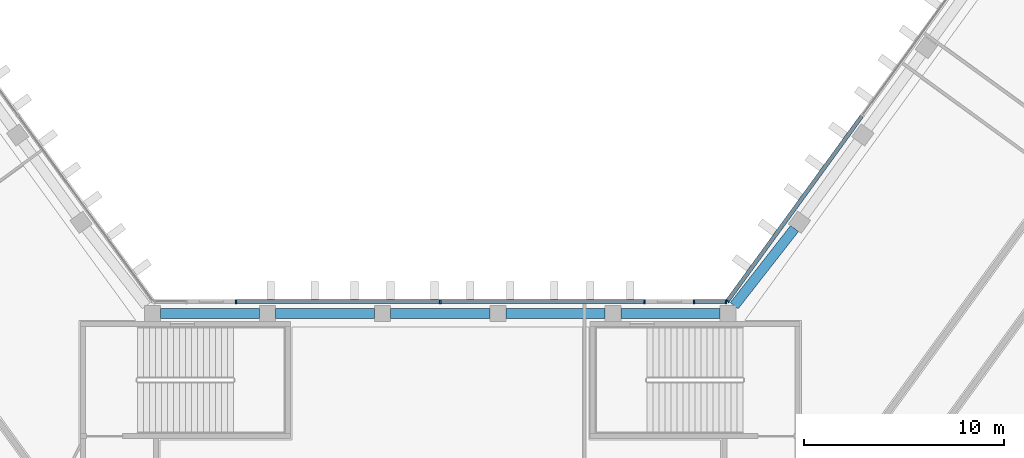
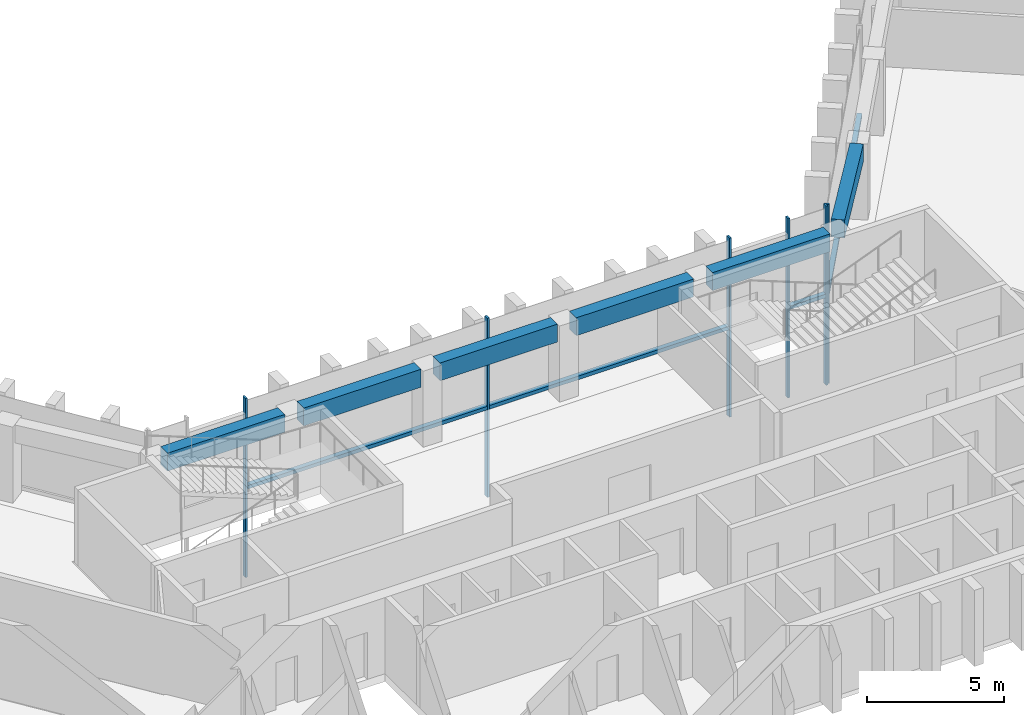
# One storey, part 3 of 13: 10 members, 6 beams, 3 elements without a shape of their own.
"""IFC4 building model written with IfcOpenShell, lengths in metres."""

import ifcopenshell
import ifcopenshell.guid

model = None  # the IFC model being written
_history = None  # IfcOwnerHistory: only IFC2X3 demands one
_inside = {}  # id of a spatial element -> (the spatial element, [elements in it])
_under = {}  # id of a project, library or spatial element -> (it, [spatial elements below it])
_declared = {}  # id of a project -> (the project, [libraries it declares])
_typed = {}  # id of a type object -> (the type object, [elements of that type])
_made_of = {}  # id of a material, layer set ... -> (it, [elements and type objects made of it])


def new_model(schema):
    """Start an empty IFC model of exactly this schema.

    Asked for "IFC4X3", IfcOpenShell would pick the latest addendum, in which some entities
    have other attributes; the version numbers below select the first issue.
    IFC2X3 requires an IfcOwnerHistory on every rooted entity: one is made here for all.
    """
    global model, _history
    if schema == "IFC4X3":
        model = ifcopenshell.file(schema_version=(4, 3, 0, 0))
    else:
        model = ifcopenshell.file(schema=schema)
    _inside.clear()
    _under.clear()
    _declared.clear()
    _typed.clear()
    _made_of.clear()
    _history = None
    if model.schema == "IFC2X3":
        org = make("IfcOrganization", Name="unknown")
        user = make(
            "IfcPersonAndOrganization",
            ThePerson=make("IfcPerson", FamilyName="unknown"),
            TheOrganization=org,
        )
        app = make(
            "IfcApplication",
            ApplicationDeveloper=org,
            Version="unknown",
            ApplicationFullName="unknown",
            ApplicationIdentifier="unknown",
        )
        _history = make(
            "IfcOwnerHistory",
            OwningUser=user,
            OwningApplication=app,
            ChangeAction="ADDED",
            CreationDate=0,
        )
    return model


def make(cls, **values):
    """One entity of the class cls with the attributes given. An attribute that is None is left unset."""
    return model.create_entity(
        cls, **{name: value for name, value in values.items() if value is not None}
    )


def rooted(cls, **values):
    """An entity with a GlobalId (a new one), such as an element, a storey or a relation."""
    return make(cls, GlobalId=ifcopenshell.guid.new(), OwnerHistory=_history, **values)


def si_unit(unit_type, name, prefix=None):
    """IfcSIUnit, for example si_unit("LENGTHUNIT", "METRE", prefix="MILLI")."""
    return make("IfcSIUnit", UnitType=unit_type, Prefix=prefix, Name=name)


def assignment(units):
    """IfcUnitAssignment: the units of a project."""
    return None if units is None else make("IfcUnitAssignment", Units=units)


def point(xyz):
    """IfcCartesianPoint."""
    return None if xyz is None else make("IfcCartesianPoint", Coordinates=xyz)


def direction(xyz):
    """IfcDirection."""
    return None if xyz is None else make("IfcDirection", DirectionRatios=xyz)


def frame(location, z_axis=None, x_axis=None):
    """IfcAxis2Placement3D, a coordinate frame: its origin and axes. An axis left out is left unset."""
    return make(
        "IfcAxis2Placement3D",
        Location=point(location),
        Axis=direction(z_axis),
        RefDirection=direction(x_axis),
    )


def frame_2d(location, x_axis=None):
    """IfcAxis2Placement2D, a coordinate frame in the plane: its origin and x axis."""
    return make(
        "IfcAxis2Placement2D", Location=point(location), RefDirection=direction(x_axis)
    )


def origin():
    """The frame at (0, 0, 0) with its axes left unset."""
    return frame((0.0, 0.0, 0.0))


def origin_2d():
    """The frame at (0, 0) in the plane with its x axis left unset."""
    return frame_2d((0.0, 0.0))


def place(relative_to, where):
    """IfcLocalPlacement: puts the frame where relative to a parent placement (None: the world)."""
    return make(
        "IfcLocalPlacement", PlacementRelTo=relative_to, RelativePlacement=where
    )


def context(
    kind, dimensions, precision=None, world=None, true_north=None, identifier=None
):
    """IfcGeometricRepresentationContext, for example the 3D "Model" context."""
    return make(
        "IfcGeometricRepresentationContext",
        ContextIdentifier=identifier,
        ContextType=kind,
        CoordinateSpaceDimension=dimensions,
        Precision=precision,
        WorldCoordinateSystem=world,
        TrueNorth=true_north,
    )


def subcontext(parent, identifier, kind, view, scale=None):
    """IfcGeometricRepresentationSubContext, for example "Body" below "Model"."""
    return make(
        "IfcGeometricRepresentationSubContext",
        ContextIdentifier=identifier,
        ContextType=kind,
        ParentContext=parent,
        TargetScale=scale,
        TargetView=view,
    )


def project(units=None, contexts=None):
    """IfcProject with its units and contexts."""
    return rooted(
        "IfcProject",
        Name="project",
        RepresentationContexts=contexts,
        UnitsInContext=assignment(units),
    )


def spatial(cls, under=None, at=None, **own):
    """A site, building, storey or space (cls), placed at a placement, below another one or the project."""
    s = rooted(cls, ObjectPlacement=at, **own)
    if under is not None:
        _under.setdefault(under.id(), (under, []))[1].append(s)
    return s


def profile(cls, at=None, kind="AREA", **sizes):
    """A parametric profile (cls). Its sizes go by their IFC names, for example OverallWidth=200.0."""
    return make(cls, ProfileType=kind, Position=at, **sizes)


def rectangle(**sizes):
    """IfcRectangleProfileDef."""
    return profile("IfcRectangleProfileDef", **sizes)


def extrude(swept, where, along, depth):
    """IfcExtrudedAreaSolid: the profile swept, set in the frame where, extruded along a direction by depth."""
    return make(
        "IfcExtrudedAreaSolid",
        SweptArea=swept,
        Position=where,
        ExtrudedDirection=direction(along),
        Depth=depth,
    )


def shape(context_of_items, identifier, shape_type, items):
    """IfcShapeRepresentation: the items that make up one representation, for example the "Body"."""
    return make(
        "IfcShapeRepresentation",
        ContextOfItems=context_of_items,
        RepresentationIdentifier=identifier,
        RepresentationType=shape_type,
        Items=items,
    )


def material(Name=None, Category=None):
    """IfcMaterial."""
    return make("IfcMaterial", Name=Name, Category=Category)


def material_profile(
    of_material, cross_section, Name=None, Category=None, Priority=None
):
    """IfcMaterialProfile: a cross section and its material."""
    return make(
        "IfcMaterialProfile",
        Name=Name,
        Material=of_material,
        Profile=cross_section,
        Priority=Priority,
        Category=Category,
    )


def profile_set(profiles, Name=None, composite=None):
    """IfcMaterialProfileSet."""
    return make(
        "IfcMaterialProfileSet",
        Name=Name,
        MaterialProfiles=profiles,
        CompositeProfile=composite,
    )


def made_of(thing, what):
    """Note that an element or type object is made of a material, layer set ...; save() writes the relation."""
    if what is not None:
        _made_of.setdefault(what.id(), (what, []))[1].append(thing)
    return thing


def type_object(cls, material=None, **own):
    """A type object (cls), such as IfcWallType, which elements share."""
    return made_of(rooted(cls, **own), material)


def element(
    cls,
    number,
    at=None,
    inside=None,
    cuts=None,
    type_object=None,
    material=None,
    context=None,
    identifier="Body",
    shape_type=None,
    held_by="IfcProductDefinitionShape",
    body=None,
    shapes=None,
    **own,
):
    """One element of the class cls, such as IfcWall. Its Tag is "e" and its number.

    at: its placement. inside: the storey or other place that contains it. cuts: it is an
    opening in that element (IfcRelVoidsElement). A single representation is given by context,
    identifier, shape_type and body (its items); several are given by shapes. held_by: the class
    of the entity that holds the representations. save() writes the other relations.
    """
    e = rooted(cls, Tag="e%d" % number, ObjectPlacement=at, **own)
    if body is not None:
        shapes = [shape(context, identifier, shape_type, body)]
    if shapes is not None:
        e.Representation = make(held_by, Representations=shapes)
    if inside is not None:
        _inside.setdefault(inside.id(), (inside, []))[1].append(e)
    if cuts is not None:
        rooted(
            "IfcRelVoidsElement", RelatingBuildingElement=cuts, RelatedOpeningElement=e
        )
    if type_object is not None:
        _typed.setdefault(type_object.id(), (type_object, []))[1].append(e)
    return made_of(e, material)


def aggregate(whole, parts):
    """IfcRelAggregates: a whole, such as a stair, and the parts it consists of."""
    return rooted("IfcRelAggregates", RelatingObject=whole, RelatedObjects=parts)


def save(model, path):
    """Write the relations noted so far, then the file.

    IfcRelAggregates (storeys below a building ...), IfcRelContainedInSpatialStructure (elements
    in a storey), IfcRelDefinesByType, IfcRelAssociatesMaterial and IfcRelDeclares: one each for
    every whole, place, type object, material and project.
    """
    for whole, parts in _under.values():
        aggregate(whole, parts)
    for where, things in _inside.values():
        rooted(
            "IfcRelContainedInSpatialStructure",
            RelatedElements=things,
            RelatingStructure=where,
        )
    for kind, things in _typed.values():
        rooted("IfcRelDefinesByType", RelatedObjects=things, RelatingType=kind)
    for what, things in _made_of.values():
        rooted("IfcRelAssociatesMaterial", RelatedObjects=things, RelatingMaterial=what)
    for by, libraries in _declared.values():
        rooted("IfcRelDeclares", RelatingContext=by, RelatedDefinitions=libraries)
    model.write(path)


model = new_model("IFC4")

# Units and contexts
model_context = context("Model", 3, precision=1e-05, world=origin(), true_north=direction((0.0, 1.0)))
body_context = subcontext(model_context, "Body", "Model", "MODEL_VIEW")
ifc_project = project(units=[si_unit("LENGTHUNIT", "METRE"), si_unit("AREAUNIT", "SQUARE_METRE"), si_unit("VOLUMEUNIT", "CUBIC_METRE"), si_unit("PLANEANGLEUNIT", "RADIAN"), si_unit("MASSUNIT", "GRAM", prefix="KILO")], contexts=[model_context])

# Site, building, storey
site_placement = place(None, origin())
site = spatial("IfcSite", under=ifc_project, at=site_placement, CompositionType="ELEMENT")
building_placement = place(site_placement, origin())
building = spatial("IfcBuilding", under=site, at=building_placement, Name="Quipu Civic Tower", CompositionType="ELEMENT")
storey_placement = place(building_placement, frame((0.0, 0.0, 184.0)))
storey = spatial("IfcBuildingStorey", under=building, at=storey_placement, Name="L43", CompositionType="ELEMENT", Elevation=184.0)

# Curtain wall, member
ifc_material_1 = material(Name="Insulated glass unit", Category="glass")
curtain_wall_type = type_object("IfcCurtainWallType", Name="Office curtain wall CW1", PredefinedType="NOTDEFINED", material=ifc_material_1)
curtain_wall_1_placement = place(storey_placement, origin())
curtain_wall_1 = element("IfcCurtainWall", 1, at=curtain_wall_1_placement, inside=storey, type_object=curtain_wall_type, Name="Office curtain wall CW1 L42 run 30", PredefinedType="NOTDEFINED")
ifc_material_2 = material(Name="Anodised aluminium", Category="aluminium")
ifc_material_profile_1 = material_profile(ifc_material_2, rectangle(XDim=0.199951171875, YDim=0.080078125, at=origin_2d()), Name="RECT 200x80")
ifc_profile_set_1 = profile_set([ifc_material_profile_1], Name="Anodised aluminium")
member_type_1 = type_object("IfcMemberType", Name="Mullion CW1", PredefinedType="MULLION", material=ifc_profile_set_1)
member_1_placement = place(storey_placement, frame((14.36767578125, 11.13232421875, -3.919921875), z_axis=(0.0, 0.0, 1.0), x_axis=(0.809014469803, -0.587788727052, 0.0)))
member_1 = element("IfcMember", 2, at=member_1_placement, type_object=member_type_1, Name="CW1 mullion 3", PredefinedType="MULLION", context=body_context, shape_type="SweptSolid", body=[
    extrude(rectangle(XDim=0.199951171875, YDim=0.080078125, at=origin_2d()), origin(), (0.0, 0.0, 1.0), 8.0),
])

# Curtain wall, members
curtain_wall_2_placement = place(storey_placement, origin())
curtain_wall_2 = element("IfcCurtainWall", 3, at=curtain_wall_2_placement, inside=storey, type_object=curtain_wall_type, Name="Office curtain wall CW1 L42 run 31", PredefinedType="NOTDEFINED")
member_2_placement = place(storey_placement, frame((14.30419921875, 11.10009765625, -3.919921875), z_axis=(0.0, 0.0, 1.0), x_axis=(0.0, -1.0, 0.0)))
member_2 = element("IfcMember", 4, at=member_2_placement, type_object=member_type_1, Name="CW1 mullion 1", PredefinedType="MULLION", context=body_context, shape_type="SweptSolid", body=[
    extrude(rectangle(XDim=0.199951171875, YDim=0.080078125, at=origin_2d()), origin(), (0.0, 0.0, 1.0), 8.0),
])
member_3_placement = place(storey_placement, frame((12.695068359375, 11.10009765625, -3.919921875), z_axis=(0.0, 0.0, 1.0), x_axis=(0.0, -1.0, 0.0)))
member_3 = element("IfcMember", 5, at=member_3_placement, type_object=member_type_1, Name="CW1 mullion 2", PredefinedType="MULLION", context=body_context, shape_type="SweptSolid", body=[
    extrude(rectangle(XDim=0.199951171875, YDim=0.080078125, at=origin_2d()), origin(), (0.0, 0.0, 1.0), 8.0),
])

curtain_wall_3_placement = place(storey_placement, origin())
curtain_wall_3 = element("IfcCurtainWall", 6, at=curtain_wall_3_placement, inside=storey, type_object=curtain_wall_type, Name="Office curtain wall CW1 L42 run 33", PredefinedType="NOTDEFINED")
member_4_placement = place(storey_placement, frame((10.223388671875, 11.10009765625, -3.919921875), z_axis=(0.0, 0.0, 1.0), x_axis=(0.0, -1.0, 0.0)))
member_4 = element("IfcMember", 7, at=member_4_placement, type_object=member_type_1, Name="CW1 mullion 1", PredefinedType="MULLION", context=body_context, shape_type="SweptSolid", body=[
    extrude(rectangle(XDim=0.199951171875, YDim=0.080078125, at=origin_2d()), origin(), (0.0, 0.0, 1.0), 8.0),
])
member_5_placement = place(storey_placement, frame((0.0, 11.10009765625, -3.919921875), z_axis=(0.0, 0.0, 1.0), x_axis=(0.0, -1.0, 0.0)))
member_5 = element("IfcMember", 8, at=member_5_placement, type_object=member_type_1, Name="CW1 mullion 2", PredefinedType="MULLION", context=body_context, shape_type="SweptSolid", body=[
    extrude(rectangle(XDim=0.199951171875, YDim=0.080078125, at=origin_2d()), origin(), (0.0, 0.0, 1.0), 8.0),
])
member_6_placement = place(storey_placement, frame((-10.223388671875, 11.10009765625, -3.919921875), z_axis=(0.0, 0.0, 1.0), x_axis=(0.0, -1.0, 0.0)))
member_6 = element("IfcMember", 9, at=member_6_placement, type_object=member_type_1, Name="CW1 mullion 3", PredefinedType="MULLION", context=body_context, shape_type="SweptSolid", body=[
    extrude(rectangle(XDim=0.199951171875, YDim=0.080078125, at=origin_2d()), origin(), (0.0, 0.0, 1.0), 8.0),
])

# Beams
ifc_material_3 = material(Name="Concrete C50/60", Category="concrete")
ifc_material_profile_2 = material_profile(ifc_material_3, rectangle(XDim=0.5, YDim=0.800048828125, at=origin_2d()), Name="RC500x800")
ifc_profile_set_2 = profile_set([ifc_material_profile_2], Name="Concrete C50/60")
beam_type = type_object("IfcBeamType", Name="Spandrel beam RC 500x800 C50/60", PredefinedType="SPANDREL", material=ifc_profile_set_2)
beam_placement = place(storey_placement, frame((17.72705078125, 14.759765625, 3.0), z_axis=(-0.616090612932, -0.787675286306, 0.0), x_axis=(0.787675286306, -0.616090612932, 0.0)))
element("IfcBeam", 10, at=beam_placement, inside=storey, type_object=beam_type, Name="Spandrel beam L43 E-IN-01 to J-Ei.0", PredefinedType="SPANDREL", context=body_context, shape_type="SweptSolid", body=[
    extrude(rectangle(XDim=0.5, YDim=0.800048828125, at=origin_2d()), origin(), (0.0, 0.0, 1.0), 4.900390625),
])
for number, where, z_axis, x_axis, name in (
    (11, (13.9951171875, 10.5, 3.0), (-1.0, 0.0, 0.0), (0.0, -1.0, 0.0), "Spandrel beam L43 J-Ei.0 to FRONT-01"),
    (12, (8.237060546875, 10.5, 3.0), (-1.0, 0.0, 0.0), (0.0, -1.0, 0.0), "Spandrel beam L43 FRONT-01 to FRONT-02"),
    (13, (2.47900390625, 10.5, 3.0), (-1.0, 0.0, 0.0), (0.0, -1.0, 0.0), "Spandrel beam L43 FRONT-02 to FRONT-03"),
    (14, (-3.279052734375, 10.5, 3.0), (-1.0, 0.0, 0.0), (0.0, -1.0, 0.0), "Spandrel beam L43 FRONT-03 to FRONT-04"),
    (15, (-9.037109375, 10.5, 3.0), (-1.0, 0.0, 0.0), (0.0, -1.0, 0.0), "Spandrel beam L43 FRONT-04 to J-Wi.0"),
):
    element("IfcBeam", number, at=place(storey_placement, frame(where, z_axis=z_axis, x_axis=x_axis)), inside=storey, type_object=beam_type, Name=name, PredefinedType="SPANDREL", context=body_context, shape_type="SweptSolid", body=[
        extrude(rectangle(XDim=0.5, YDim=0.800048828125, at=origin_2d()), origin(), (0.0, 0.0, 1.0), 4.9580078125),
    ])

# Member
ifc_material_4 = material(Name="Anodised aluminium", Category="aluminium")
ifc_material_profile_3 = material_profile(ifc_material_4, rectangle(XDim=0.199951171875, YDim=0.159912109375, at=origin_2d()), Name="RECT 200x160")
ifc_profile_set_3 = profile_set([ifc_material_profile_3], Name="Anodised aluminium")
member_type_2 = type_object("IfcMemberType", Name="Transom CW1", PredefinedType="USERDEFINED", material=ifc_profile_set_3)
member_7_placement = place(storey_placement, frame((21.09326171875, 20.38916015625, 0.080078125), z_axis=(-0.587799878401, -0.809006367683, 0.0), x_axis=(0.809006367683, -0.587799878401, 0.0)))
member_7 = element("IfcMember", 16, at=member_7_placement, type_object=member_type_2, Name="CW1 transom 2.2", ObjectType="TRANSOM", PredefinedType="USERDEFINED", context=body_context, shape_type="SweptSolid", body=[
    extrude(rectangle(XDim=0.199951171875, YDim=0.159912109375, at=origin_2d()), origin(), (0.0, 0.0, 1.0), 11.402099609375),
])

aggregate(curtain_wall_1, [member_1, member_7])

member_8_placement = place(storey_placement, frame((14.26416015625, 11.10009765625, 0.080078125), z_axis=(-1.0, 0.0, 0.0), x_axis=(0.0, -1.0, 0.0)))
member_8 = element("IfcMember", 17, at=member_8_placement, type_object=member_type_2, Name="CW1 transom 1.2", ObjectType="TRANSOM", PredefinedType="USERDEFINED", context=body_context, shape_type="SweptSolid", body=[
    extrude(rectangle(XDim=0.199951171875, YDim=0.159912109375, at=origin_2d()), origin(), (0.0, 0.0, 1.0), 1.529052734375),
])

aggregate(curtain_wall_2, [member_2, member_3, member_8])

member_9_placement = place(storey_placement, frame((10.18359375, 11.10009765625, 0.080078125), z_axis=(-1.0, 0.0, 0.0), x_axis=(0.0, -1.0, 0.0)))
member_9 = element("IfcMember", 18, at=member_9_placement, type_object=member_type_2, Name="CW1 transom 1.2", ObjectType="TRANSOM", PredefinedType="USERDEFINED", context=body_context, shape_type="SweptSolid", body=[
    extrude(rectangle(XDim=0.199951171875, YDim=0.159912109375, at=origin_2d()), origin(), (0.0, 0.0, 1.0), 10.1435546875),
])

member_10_placement = place(storey_placement, frame((-0.0400390625, 11.10009765625, 0.080078125), z_axis=(-1.0, 0.0, 0.0), x_axis=(0.0, -1.0, 0.0)))
member_10 = element("IfcMember", 19, at=member_10_placement, type_object=member_type_2, Name="CW1 transom 2.2", ObjectType="TRANSOM", PredefinedType="USERDEFINED", context=body_context, shape_type="SweptSolid", body=[
    extrude(rectangle(XDim=0.199951171875, YDim=0.159912109375, at=origin_2d()), origin(), (0.0, 0.0, 1.0), 10.1435546875),
])

aggregate(curtain_wall_3, [member_4, member_5, member_6, member_9, member_10])

save(model, "model.ifc")
